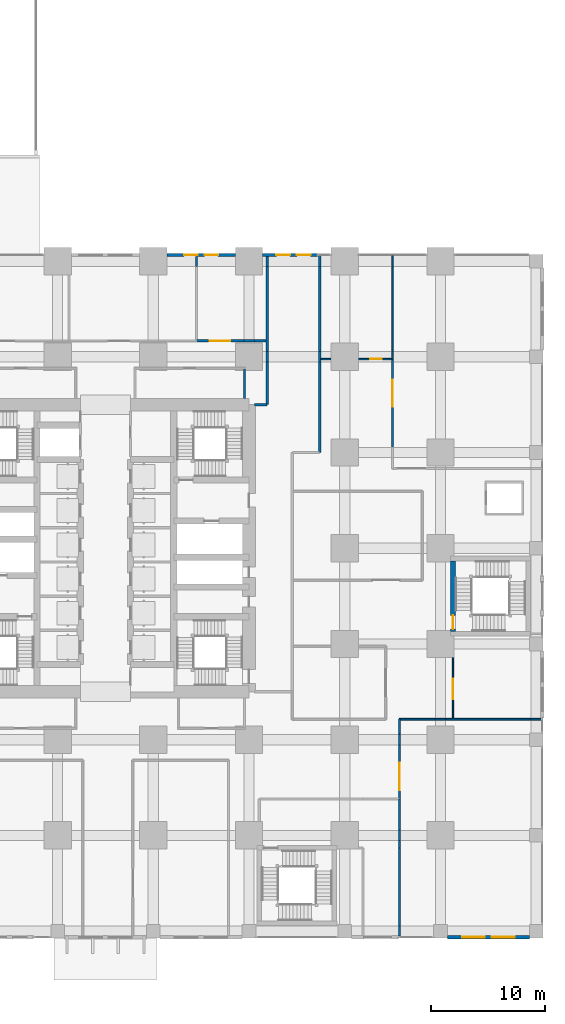
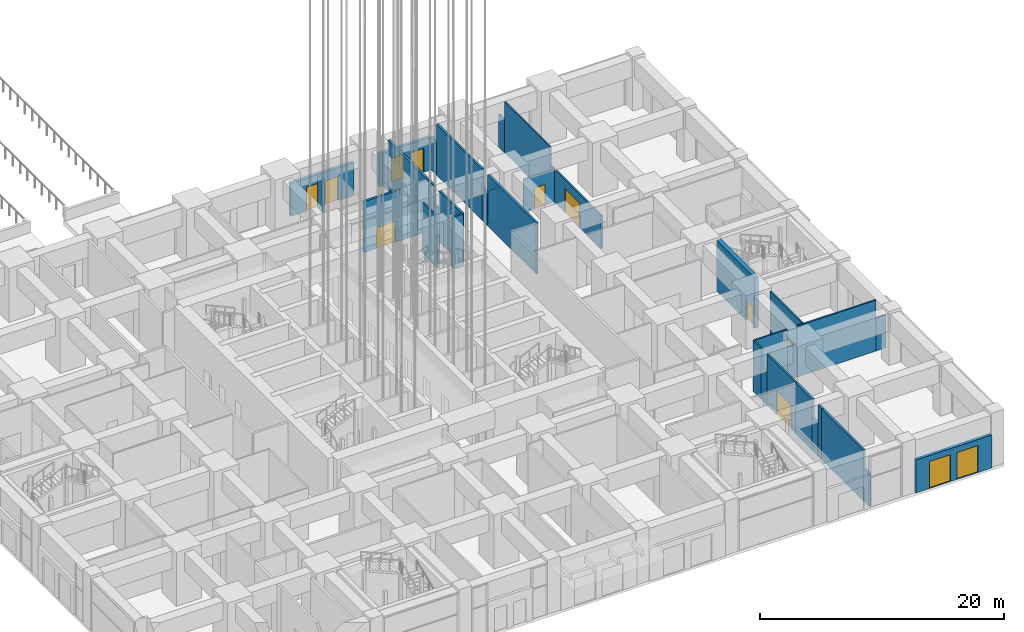
# One storey, part 42 of 81: 37 walls, 12 doors, 12 openings.
"""IFC4 building model written with IfcOpenShell, lengths in metres."""

from ifc_helpers import new_model, si_unit, direction, frame, frame_2d, origin, place, context, subcontext, project, spatial, rectangle, extrude, material, layer, layer_set, type_object, element, fill, save


model = new_model("IFC4")

# Units and contexts
model_context = context("Model", 3, precision=1e-05, world=origin(), true_north=direction((0.0, 1.0)))
body_context = subcontext(model_context, "Body", "Model", "MODEL_VIEW")
ifc_project = project(units=[si_unit("LENGTHUNIT", "METRE"), si_unit("AREAUNIT", "SQUARE_METRE"), si_unit("VOLUMEUNIT", "CUBIC_METRE"), si_unit("PLANEANGLEUNIT", "RADIAN"), si_unit("MASSUNIT", "GRAM", prefix="KILO")], contexts=[model_context])

# Site, building, storey
site_placement = place(None, origin())
site = spatial("IfcSite", under=ifc_project, at=site_placement, CompositionType="ELEMENT")
building_placement = place(site_placement, origin())
building = spatial("IfcBuilding", under=site, at=building_placement, Name="Rekha Terrace Tower", CompositionType="ELEMENT")
storey_placement = place(building_placement, origin())
storey = spatial("IfcBuildingStorey", under=building, at=storey_placement, Name="L00", CompositionType="ELEMENT", Elevation=0.0)

# Wall, openings, doors
ifc_material_1 = material(Name="Concrete M40", Category="concrete")
ifc_layer_1 = layer(ifc_material_1, 0.300048828125)
ifc_layer_set_1 = layer_set([ifc_layer_1], Name="Concrete M40")
wall_type_1 = type_object("IfcWallType", Name="EW2 glazed entrance screen wall 300", PredefinedType="SOLIDWALL", material=ifc_layer_set_1)
wall_1_placement = place(storey_placement, frame((74.9990234375, -0.5400390625, 0.0), z_axis=(0.0, 0.0, 1.0), x_axis=(-1.0, 0.0, 0.0)))
wall_1 = element("IfcWall", 1, at=wall_1_placement, inside=storey, type_object=wall_type_1, Name="Entrance screen wall", PredefinedType="SOLIDWALL", context=body_context, shape_type="SweptSolid", body=[
    extrude(rectangle(XDim=7.197998046875, YDim=0.300048828125, at=frame_2d((3.59912109375, 0.0))), origin(), (0.0, 0.0, 1.0), 3.300048828125),
])
opening_1_placement = place(wall_1_placement, frame((3.89892578125, 0.0, 0.0)))
opening_1 = element("IfcOpeningElement", 2, at=opening_1_placement, cuts=wall_1, Name="Opening ED1", PredefinedType="OPENING", context=body_context, shape_type="SweptSolid", body=[
    extrude(rectangle(XDim=2.0, YDim=2.699951171875, at=frame_2d((1.0, 1.35009765625))), frame((0.0, 0.159912109375, 0.0), z_axis=(0.0, -1.0, 0.0), x_axis=(1.0, 0.0, 0.0)), (0.0, 0.0, 1.0), 0.320068359375),
])
opening_2_placement = place(wall_1_placement, frame((1.299072265625, 0.0, 0.0)))
opening_2 = element("IfcOpeningElement", 3, at=opening_2_placement, cuts=wall_1, Name="Opening ED1", PredefinedType="OPENING", context=body_context, shape_type="SweptSolid", body=[
    extrude(rectangle(XDim=2.0, YDim=2.699951171875, at=frame_2d((1.0, 1.35009765625))), frame((0.0, 0.159912109375, 0.0), z_axis=(0.0, -1.0, 0.0), x_axis=(1.0, 0.0, 0.0)), (0.0, 0.0, 1.0), 0.320068359375),
])
ifc_material_2 = material(Name="Aluminium framed laminated glass door", Category="aluminium")
door_type_1 = type_object("IfcDoorType", Name="ED1 glazed double entrance door 2000 x 2700", OperationType="DOUBLE_DOOR_SINGLE_SWING", PredefinedType="DOOR", material=ifc_material_2)
door_1_placement = place(opening_1_placement, origin())
door_1 = element("IfcDoor", 4, at=door_1_placement, inside=storey, type_object=door_type_1, Name="Entrance door", OperationType="DOUBLE_DOOR_SINGLE_SWING", OverallHeight=2.699951171875, OverallWidth=2.0, PredefinedType="DOOR", context=body_context, shape_type="SweptSolid", body=[
    extrude(rectangle(XDim=2.0, YDim=2.699951171875, at=frame_2d((1.0, 1.35009765625))), frame((0.0, 0.02490234375, 0.0), z_axis=(0.0, -1.0, 0.0), x_axis=(1.0, 0.0, 0.0)), (0.0, 0.0, 1.0), 0.050048828125),
])
fill(opening_1, door_1)
door_2_placement = place(opening_2_placement, origin())
door_2 = element("IfcDoor", 5, at=door_2_placement, inside=storey, type_object=door_type_1, Name="Entrance door", OperationType="DOUBLE_DOOR_SINGLE_SWING", OverallHeight=2.699951171875, OverallWidth=2.0, PredefinedType="DOOR", context=body_context, shape_type="SweptSolid", body=[
    extrude(rectangle(XDim=2.0, YDim=2.699951171875, at=frame_2d((1.0, 1.35009765625))), frame((0.0, 0.02490234375, 0.0), z_axis=(0.0, -1.0, 0.0), x_axis=(1.0, 0.0, 0.0)), (0.0, 0.0, 1.0), 0.050048828125),
])
fill(opening_2, door_2)

wall_2_placement = place(storey_placement, frame((51.60107421875, 59.340087890625, 0.0), z_axis=(0.0, 0.0, 1.0), x_axis=(1.0, 0.0, 0.0)))
wall_2 = element("IfcWall", 6, at=wall_2_placement, inside=storey, type_object=wall_type_1, Name="Entrance screen wall", PredefinedType="SOLIDWALL", context=body_context, shape_type="SweptSolid", body=[
    extrude(rectangle(XDim=4.798828125, YDim=0.300048828125, at=frame_2d((2.3994140625, 0.0))), origin(), (0.0, 0.0, 1.0), 3.300048828125),
])
opening_3_placement = place(wall_2_placement, frame((2.9990234375, 0.0, 0.0)))
opening_3 = element("IfcOpeningElement", 7, at=opening_3_placement, cuts=wall_2, Name="Opening ED3", PredefinedType="OPENING", context=body_context, shape_type="SweptSolid", body=[
    extrude(rectangle(XDim=1.199951171875, YDim=2.39990234375, at=frame_2d((0.60009765625, 1.199951171875))), frame((0.0, 0.159912109375, 0.0), z_axis=(0.0, -1.0, 0.0), x_axis=(1.0, 0.0, 0.0)), (0.0, 0.0, 1.0), 0.320068359375),
])
opening_4_placement = place(wall_2_placement, frame((1.198974609375, 0.0, 0.0)))
opening_4 = element("IfcOpeningElement", 8, at=opening_4_placement, cuts=wall_2, Name="Opening ED3", PredefinedType="OPENING", context=body_context, shape_type="SweptSolid", body=[
    extrude(rectangle(XDim=1.199951171875, YDim=2.39990234375, at=frame_2d((0.60009765625, 1.199951171875))), frame((0.0, 0.159912109375, 0.0), z_axis=(0.0, -1.0, 0.0), x_axis=(1.0, 0.0, 0.0)), (0.0, 0.0, 1.0), 0.320068359375),
])
ifc_material_3 = material(Name="Galvanised steel door", Category="steel")
door_type_2 = type_object("IfcDoorType", Name="ED3 steel exit door 1200 x 2400", OperationType="SINGLE_SWING_LEFT", PredefinedType="DOOR", material=ifc_material_3)
door_3_placement = place(opening_3_placement, origin())
door_3 = element("IfcDoor", 9, at=door_3_placement, inside=storey, type_object=door_type_2, Name="Exit door", OperationType="SINGLE_SWING_LEFT", OverallHeight=2.39990234375, OverallWidth=1.199951171875, PredefinedType="DOOR", context=body_context, shape_type="SweptSolid", body=[
    extrude(rectangle(XDim=1.199951171875, YDim=2.39990234375, at=frame_2d((0.60009765625, 1.199951171875))), frame((0.0, 0.02490234375, 0.0), z_axis=(0.0, -1.0, 0.0), x_axis=(1.0, 0.0, 0.0)), (0.0, 0.0, 1.0), 0.050048828125),
])
fill(opening_3, door_3)
door_4_placement = place(opening_4_placement, origin())
door_4 = element("IfcDoor", 10, at=door_4_placement, inside=storey, type_object=door_type_2, Name="Exit door", OperationType="SINGLE_SWING_LEFT", OverallHeight=2.39990234375, OverallWidth=1.199951171875, PredefinedType="DOOR", context=body_context, shape_type="SweptSolid", body=[
    extrude(rectangle(XDim=1.199951171875, YDim=2.39990234375, at=frame_2d((0.60009765625, 1.199951171875))), frame((0.0, 0.02490234375, 0.0), z_axis=(0.0, -1.0, 0.0), x_axis=(1.0, 0.0, 0.0)), (0.0, 0.0, 1.0), 0.050048828125),
])
fill(opening_4, door_4)

wall_3_placement = place(storey_placement, frame((43.200927734375, 59.340087890625, 0.0), z_axis=(0.0, 0.0, 1.0), x_axis=(1.0, 0.0, 0.0)))
wall_3 = element("IfcWall", 11, at=wall_3_placement, inside=storey, type_object=wall_type_1, Name="Entrance screen wall", PredefinedType="SOLIDWALL", context=body_context, shape_type="SweptSolid", body=[
    extrude(rectangle(XDim=5.998046875, YDim=0.300048828125, at=frame_2d((2.9990234375, 0.0))), origin(), (0.0, 0.0, 1.0), 3.300048828125),
])
opening_5_placement = place(wall_3_placement, frame((3.299072265625, 0.0, 0.0)))
opening_5 = element("IfcOpeningElement", 12, at=opening_5_placement, cuts=wall_3, Name="Opening ED3", PredefinedType="OPENING", context=body_context, shape_type="SweptSolid", body=[
    extrude(rectangle(XDim=1.199951171875, YDim=2.39990234375, at=frame_2d((0.60009765625, 1.199951171875))), frame((0.0, 0.159912109375, 0.0), z_axis=(0.0, -1.0, 0.0), x_axis=(1.0, 0.0, 0.0)), (0.0, 0.0, 1.0), 0.320068359375),
])
opening_6_placement = place(wall_3_placement, frame((1.4990234375, 0.0, 0.0)))
opening_6 = element("IfcOpeningElement", 13, at=opening_6_placement, cuts=wall_3, Name="Opening ED3", PredefinedType="OPENING", context=body_context, shape_type="SweptSolid", body=[
    extrude(rectangle(XDim=1.199951171875, YDim=2.39990234375, at=frame_2d((0.60009765625, 1.199951171875))), frame((0.0, 0.159912109375, 0.0), z_axis=(0.0, -1.0, 0.0), x_axis=(1.0, 0.0, 0.0)), (0.0, 0.0, 1.0), 0.320068359375),
])
door_5_placement = place(opening_5_placement, origin())
door_5 = element("IfcDoor", 14, at=door_5_placement, inside=storey, type_object=door_type_2, Name="Exit door", OperationType="SINGLE_SWING_LEFT", OverallHeight=2.39990234375, OverallWidth=1.199951171875, PredefinedType="DOOR", context=body_context, shape_type="SweptSolid", body=[
    extrude(rectangle(XDim=1.199951171875, YDim=2.39990234375, at=frame_2d((0.60009765625, 1.199951171875))), frame((0.0, 0.02490234375, 0.0), z_axis=(0.0, -1.0, 0.0), x_axis=(1.0, 0.0, 0.0)), (0.0, 0.0, 1.0), 0.050048828125),
])
fill(opening_5, door_5)
door_6_placement = place(opening_6_placement, origin())
door_6 = element("IfcDoor", 15, at=door_6_placement, inside=storey, type_object=door_type_2, Name="Exit door", OperationType="SINGLE_SWING_LEFT", OverallHeight=2.39990234375, OverallWidth=1.199951171875, PredefinedType="DOOR", context=body_context, shape_type="SweptSolid", body=[
    extrude(rectangle(XDim=1.199951171875, YDim=2.39990234375, at=frame_2d((0.60009765625, 1.199951171875))), frame((0.0, 0.02490234375, 0.0), z_axis=(0.0, -1.0, 0.0), x_axis=(1.0, 0.0, 0.0)), (0.0, 0.0, 1.0), 0.050048828125),
])
fill(opening_6, door_6)

# Walls
ifc_material_4 = material(Name="Solid concrete block masonry, 2 hour", Category="masonry")
ifc_layer_2 = layer(ifc_material_4, 0.199951171875)
ifc_layer_set_2 = layer_set([ifc_layer_2], Name="Solid concrete block masonry, 2 hour")
wall_type_2 = type_object("IfcWallType", Name="WP1 200 plant room wall", PredefinedType="PARTITIONING", material=ifc_layer_set_2)
wall_4_placement = place(storey_placement, frame((51.89990234375, 51.800048828125, 0.0), z_axis=(0.0, 0.0, 1.0), x_axis=(-1.0, 0.0, 0.0)))
element("IfcWall", 16, at=wall_4_placement, inside=storey, type_object=wall_type_2, Name="Partition L00-15", PredefinedType="PARTITIONING", context=body_context, shape_type="SweptSolid", body=[
    extrude(rectangle(XDim=1.039794921875, YDim=0.199951171875, at=frame_2d((0.52001953125, 0.0))), origin(), (0.0, 0.0, 1.0), 5.10009765625),
])
wall_5_placement = place(storey_placement, frame((50.860107421875, 51.800048828125, 0.0), z_axis=(0.0, 0.0, 1.0), x_axis=(-1.0, 0.0, 0.0)))
element("IfcWall", 17, at=wall_5_placement, inside=storey, type_object=wall_type_2, Name="Partition L00-15", PredefinedType="PARTITIONING", context=body_context, shape_type="SweptSolid", body=[
    extrude(rectangle(XDim=0.920166015625, YDim=0.199951171875, at=frame_2d((0.4599609375, 0.0))), origin(), (0.0, 0.0, 1.0), 3.300048828125),
])

# Wall, opening, door
wall_6_placement = place(storey_placement, frame((49.93994140625, 51.800048828125, 0.0), z_axis=(0.0, 0.0, 1.0), x_axis=(-1.0, 0.0, 0.0)))
wall_6 = element("IfcWall", 18, at=wall_6_placement, inside=storey, type_object=wall_type_2, Name="Partition L00-15", PredefinedType="PARTITIONING", context=body_context, shape_type="SweptSolid", body=[
    extrude(rectangle(XDim=4.139892578125, YDim=0.199951171875, at=frame_2d((2.06982421875, 0.0))), origin(), (0.0, 0.0, 1.0), 5.10009765625),
])
opening_7_placement = place(wall_6_placement, frame((1.169921875, 0.0, 0.0)))
opening_7 = element("IfcOpeningElement", 19, at=opening_7_placement, cuts=wall_6, Name="Opening D8", PredefinedType="OPENING", context=body_context, shape_type="SweptSolid", body=[
    extrude(rectangle(XDim=1.800048828125, YDim=2.10009765625, at=frame_2d((0.89990234375, 1.050048828125))), frame((0.0, 0.10986328125, 0.0), z_axis=(0.0, -1.0, 0.0), x_axis=(1.0, 0.0, 0.0)), (0.0, 0.0, 1.0), 0.219970703125),
])
ifc_material_5 = material(Name="Timber fire door", Category="wood")
door_type_3 = type_object("IfcDoorType", Name="D8 1800x2100 double leaf door", OperationType="DOUBLE_DOOR_SINGLE_SWING", PredefinedType="DOOR", material=ifc_material_5)
door_7_placement = place(opening_7_placement, origin())
door_7 = element("IfcDoor", 20, at=door_7_placement, inside=storey, type_object=door_type_3, Name="Door metro first aid room L00", OperationType="DOUBLE_DOOR_SINGLE_SWING", OverallHeight=2.10009765625, OverallWidth=1.800048828125, PredefinedType="DOOR", context=body_context, shape_type="SweptSolid", body=[
    extrude(rectangle(XDim=1.800048828125, YDim=2.10009765625, at=frame_2d((0.89990234375, 1.050048828125))), frame((0.0, 0.02490234375, 0.0), z_axis=(0.0, -1.0, 0.0), x_axis=(1.0, 0.0, 0.0)), (0.0, 0.0, 1.0), 0.050048828125),
])
fill(opening_7, door_7)

# Walls
ifc_material_6 = material(Name="Concrete block masonry, 1 hour", Category="masonry")
ifc_layer_3 = layer(ifc_material_6, 0.14990234375)
ifc_layer_set_3 = layer_set([ifc_layer_3], Name="Concrete block masonry, 1 hour")
wall_type_3 = type_object("IfcWallType", Name="WP2 150 tenancy partition", PredefinedType="PARTITIONING", material=ifc_layer_set_3)
wall_7_placement = place(storey_placement, frame((50.0, 46.75, 0.0), z_axis=(0.0, 0.0, 1.0), x_axis=(0.0, 1.0, 0.0)))
element("IfcWall", 21, at=wall_7_placement, inside=storey, type_object=wall_type_3, Name="Women's WC wall L00", PredefinedType="PARTITIONING", context=body_context, shape_type="SweptSolid", body=[
    extrude(rectangle(XDim=2.574951171875, YDim=0.14990234375, at=frame_2d((1.28759765625, 0.0))), origin(), (0.0, 0.0, 1.0), 5.10009765625),
])
wall_8_placement = place(storey_placement, frame((45.800048828125, 59.18994140625, 0.0), z_axis=(0.0, 0.0, 1.0), x_axis=(0.0, -1.0, 0.0)))
element("IfcWall", 22, at=wall_8_placement, inside=storey, type_object=wall_type_3, Name="Partition L00-02", PredefinedType="PARTITIONING", context=body_context, shape_type="SweptSolid", body=[
    extrude(rectangle(XDim=0.849853515625, YDim=0.14990234375, at=frame_2d((0.4248046875, 0.0))), origin(), (0.0, 0.0, 1.0), 3.300048828125),
])

# Wall, opening, door
wall_9_placement = place(storey_placement, frame((63.0, 42.4599609375, 0.0), z_axis=(0.0, 0.0, 1.0), x_axis=(0.0, 1.0, 0.0)))
wall_9 = element("IfcWall", 23, at=wall_9_placement, inside=storey, type_object=wall_type_3, Name="Partition L00-05", PredefinedType="PARTITIONING", context=body_context, shape_type="SweptSolid", body=[
    extrude(rectangle(XDim=7.739990234375, YDim=0.14990234375, at=frame_2d((3.8701171875, 0.0))), origin(), (0.0, 0.0, 1.0), 3.300048828125),
])
opening_8_placement = place(wall_9_placement, frame((3.5400390625, 0.0, 0.0)))
opening_8 = element("IfcOpeningElement", 24, at=opening_8_placement, cuts=wall_9, Name="Opening D7", PredefinedType="OPENING", context=body_context, shape_type="SweptSolid", body=[
    extrude(rectangle(XDim=2.39990234375, YDim=2.39990234375, at=frame_2d((1.199951171875, 1.199951171875))), frame((0.0, 0.0849609375, 0.0), z_axis=(0.0, -1.0, 0.0), x_axis=(1.0, 0.0, 0.0)), (0.0, 0.0, 1.0), 0.169921875),
])
ifc_material_7 = material(Name="Glazed aluminium door", Category="aluminium")
door_type_4 = type_object("IfcDoorType", Name="D7 2400x2400 shopfront double door", OperationType="DOUBLE_DOOR_SINGLE_SWING", PredefinedType="DOOR", material=ifc_material_7)
door_8_placement = place(opening_8_placement, origin())
door_8 = element("IfcDoor", 25, at=door_8_placement, inside=storey, type_object=door_type_4, Name="Door retail unit 2 L00", OperationType="DOUBLE_DOOR_SINGLE_SWING", OverallHeight=2.39990234375, OverallWidth=2.39990234375, PredefinedType="DOOR", context=body_context, shape_type="SweptSolid", body=[
    extrude(rectangle(XDim=2.39990234375, YDim=2.39990234375, at=frame_2d((1.199951171875, 1.199951171875))), frame((0.0, 0.02490234375, 0.0), z_axis=(0.0, -1.0, 0.0), x_axis=(1.0, 0.0, 0.0)), (0.0, 0.0, 1.0), 0.050048828125),
])
fill(opening_8, door_8)

wall_10_placement = place(storey_placement, frame((63.60009765625, 11.60009765625, 0.0), z_axis=(0.0, 0.0, 1.0), x_axis=(0.0, 1.0, 0.0)))
wall_10 = element("IfcWall", 26, at=wall_10_placement, inside=storey, type_object=wall_type_3, Name="Partition L00-07", PredefinedType="PARTITIONING", context=body_context, shape_type="SweptSolid", body=[
    extrude(rectangle(XDim=4.739990234375, YDim=0.14990234375, at=frame_2d((2.3701171875, 0.0))), origin(), (0.0, 0.0, 1.0), 5.10009765625),
])
opening_9_placement = place(wall_10_placement, frame((0.77001953125, 0.0, 0.0)))
opening_9 = element("IfcOpeningElement", 27, at=opening_9_placement, cuts=wall_10, Name="Opening D7", PredefinedType="OPENING", context=body_context, shape_type="SweptSolid", body=[
    extrude(rectangle(XDim=2.39990234375, YDim=2.39990234375, at=frame_2d((1.199951171875, 1.199951171875))), frame((0.0, 0.0849609375, 0.0), z_axis=(0.0, -1.0, 0.0), x_axis=(1.0, 0.0, 0.0)), (0.0, 0.0, 1.0), 0.169921875),
])
door_9_placement = place(opening_9_placement, origin())
door_9 = element("IfcDoor", 28, at=door_9_placement, inside=storey, type_object=door_type_4, Name="Door retail unit 4 L00", OperationType="DOUBLE_DOOR_SINGLE_SWING", OverallHeight=2.39990234375, OverallWidth=2.39990234375, PredefinedType="DOOR", context=body_context, shape_type="SweptSolid", body=[
    extrude(rectangle(XDim=2.39990234375, YDim=2.39990234375, at=frame_2d((1.199951171875, 1.199951171875))), frame((0.0, 0.02490234375, 0.0), z_axis=(0.0, -1.0, 0.0), x_axis=(1.0, 0.0, 0.0)), (0.0, 0.0, 1.0), 0.050048828125),
])
fill(opening_9, door_9)

# Walls
wall_11_placement = place(storey_placement, frame((63.60009765625, 16.340087890625, 0.0), z_axis=(0.0, 0.0, 1.0), x_axis=(0.0, 1.0, 0.0)))
element("IfcWall", 29, at=wall_11_placement, inside=storey, type_object=wall_type_3, Name="Partition L00-07", PredefinedType="PARTITIONING", context=body_context, shape_type="SweptSolid", body=[
    extrude(rectangle(XDim=0.919921875, YDim=0.14990234375, at=frame_2d((0.4599609375, 0.0))), origin(), (0.0, 0.0, 1.0), 3.300048828125),
])
wall_12_placement = place(storey_placement, frame((63.60009765625, 17.260009765625, 0.0), z_axis=(0.0, 0.0, 1.0), x_axis=(0.0, 1.0, 0.0)))
element("IfcWall", 30, at=wall_12_placement, inside=storey, type_object=wall_type_3, Name="Partition L00-07", PredefinedType="PARTITIONING", context=body_context, shape_type="SweptSolid", body=[
    extrude(rectangle(XDim=1.340087890625, YDim=0.14990234375, at=frame_2d((0.669921875, 0.0))), origin(), (0.0, 0.0, 1.0), 5.10009765625),
])
wall_13_placement = place(storey_placement, frame((63.60009765625, 18.60009765625, 0.0), z_axis=(0.0, 0.0, 1.0), x_axis=(1.0, 0.0, 0.0)))
element("IfcWall", 31, at=wall_13_placement, inside=storey, type_object=wall_type_3, Name="Partition L00-07", PredefinedType="PARTITIONING", context=body_context, shape_type="SweptSolid", body=[
    extrude(rectangle(XDim=3.139892578125, YDim=0.14990234375, at=frame_2d((1.56982421875, 0.0))), origin(), (0.0, 0.0, 1.0), 5.10009765625),
])
wall_14_placement = place(storey_placement, frame((66.739990234375, 18.60009765625, 0.0), z_axis=(0.0, 0.0, 1.0), x_axis=(1.0, 0.0, 0.0)))
element("IfcWall", 32, at=wall_14_placement, inside=storey, type_object=wall_type_3, Name="Partition L00-07", PredefinedType="PARTITIONING", context=body_context, shape_type="SweptSolid", body=[
    extrude(rectangle(XDim=0.919921875, YDim=0.14990234375, at=frame_2d((0.4599609375, 0.0))), origin(), (0.0, 0.0, 1.0), 3.300048828125),
])
wall_15_placement = place(storey_placement, frame((67.659912109375, 18.60009765625, 0.0), z_axis=(0.0, 0.0, 1.0), x_axis=(1.0, 0.0, 0.0)))
element("IfcWall", 33, at=wall_15_placement, inside=storey, type_object=wall_type_3, Name="Partition L00-07", PredefinedType="PARTITIONING", context=body_context, shape_type="SweptSolid", body=[
    extrude(rectangle(XDim=7.47998046875, YDim=0.14990234375, at=frame_2d((3.739990234375, 0.0))), origin(), (0.0, 0.0, 1.0), 5.10009765625),
])
wall_16_placement = place(storey_placement, frame((75.139892578125, 18.60009765625, 0.0), z_axis=(0.0, 0.0, 1.0), x_axis=(1.0, 0.0, 0.0)))
element("IfcWall", 34, at=wall_16_placement, inside=storey, type_object=wall_type_3, Name="Partition L00-07", PredefinedType="PARTITIONING", context=body_context, shape_type="SweptSolid", body=[
    extrude(rectangle(XDim=0.91015625, YDim=0.14990234375, at=frame_2d((0.455078125, 0.0))), origin(), (0.0, 0.0, 1.0), 3.300048828125),
])
ifc_material_8 = material(Name="Two layers of fire-rated gypsum board each side on steel studs, acoustic quilt, 1 hour", Category="steel")
ifc_layer_4 = layer(ifc_material_8, 0.125)
ifc_layer_set_4 = layer_set([ifc_layer_4], Name="Two layers of fire-rated gypsum board each side on steel studs, acoustic quilt, 1 hour")
wall_type_4 = type_object("IfcWallType", Name="WP3 125 office partition", PredefinedType="PARTITIONING", material=ifc_layer_set_4)
wall_17_placement = place(storey_placement, frame((63.0, 59.2900390625, 0.0), z_axis=(0.0, 0.0, 1.0), x_axis=(0.0, -1.0, 0.0)))
element("IfcWall", 35, at=wall_17_placement, inside=storey, type_object=wall_type_4, Name="Partition L00-03", PredefinedType="PARTITIONING", context=body_context, shape_type="SweptSolid", body=[
    extrude(rectangle(XDim=0.949951171875, YDim=0.125, at=frame_2d((0.47509765625, 0.0))), origin(), (0.0, 0.0, 1.0), 3.300048828125),
])
wall_18_placement = place(storey_placement, frame((63.0, 58.340087890625, 0.0), z_axis=(0.0, 0.0, 1.0), x_axis=(0.0, -1.0, 0.0)))
element("IfcWall", 36, at=wall_18_placement, inside=storey, type_object=wall_type_4, Name="Partition L00-03", PredefinedType="PARTITIONING", context=body_context, shape_type="SweptSolid", body=[
    extrude(rectangle(XDim=7.47998046875, YDim=0.125, at=frame_2d((3.739990234375, 0.0))), origin(), (0.0, 0.0, 1.0), 5.10009765625),
])
wall_19_placement = place(storey_placement, frame((63.0, 50.860107421875, 0.0), z_axis=(0.0, 0.0, 1.0), x_axis=(0.0, -1.0, 0.0)))
element("IfcWall", 37, at=wall_19_placement, inside=storey, type_object=wall_type_4, Name="Partition L00-03", PredefinedType="PARTITIONING", context=body_context, shape_type="SweptSolid", body=[
    extrude(rectangle(XDim=0.66015625, YDim=0.125, at=frame_2d((0.330078125, 0.0))), origin(), (0.0, 0.0, 1.0), 3.300048828125),
])

# Wall, opening, door
wall_20_placement = place(storey_placement, frame((63.0, 50.199951171875, 0.0), z_axis=(0.0, 0.0, 1.0), x_axis=(-1.0, 0.0, 0.0)))
wall_20 = element("IfcWall", 38, at=wall_20_placement, inside=storey, type_object=wall_type_4, Name="Partition L00-03", PredefinedType="PARTITIONING", context=body_context, shape_type="SweptSolid", body=[
    extrude(rectangle(XDim=2.97998046875, YDim=0.125, at=frame_2d((1.489990234375, 0.0))), origin(), (0.0, 0.0, 1.0), 3.300048828125),
])
opening_10_placement = place(wall_20_placement, frame((0.955078125, 0.0, 0.0)))
opening_10 = element("IfcOpeningElement", 39, at=opening_10_placement, cuts=wall_20, Name="Opening D9", PredefinedType="OPENING", context=body_context, shape_type="SweptSolid", body=[
    extrude(rectangle(XDim=1.0, YDim=2.10009765625, at=frame_2d((0.5, 1.050048828125))), frame((0.0, 0.072509765625, 0.0), z_axis=(0.0, -1.0, 0.0), x_axis=(1.0, 0.0, 0.0)), (0.0, 0.0, 1.0), 0.14501953125),
])
door_type_5 = type_object("IfcDoorType", Name="D9 1000x2100 office door", OperationType="SINGLE_SWING_LEFT", PredefinedType="DOOR", material=ifc_material_5)
door_10_placement = place(opening_10_placement, origin())
door_10 = element("IfcDoor", 40, at=door_10_placement, inside=storey, type_object=door_type_5, Name="Door fire command centre L00", OperationType="SINGLE_SWING_LEFT", OverallHeight=2.10009765625, OverallWidth=1.0, PredefinedType="DOOR", context=body_context, shape_type="SweptSolid", body=[
    extrude(rectangle(XDim=1.0, YDim=2.10009765625, at=frame_2d((0.5, 1.050048828125))), frame((0.0, 0.02490234375, 0.0), z_axis=(0.0, -1.0, 0.0), x_axis=(1.0, 0.0, 0.0)), (0.0, 0.0, 1.0), 0.050048828125),
])
fill(opening_10, door_10)

# Wall
wall_21_placement = place(storey_placement, frame((57.580078125, 50.199951171875, 0.0), z_axis=(0.0, 0.0, 1.0), x_axis=(-1.0, 0.0, 0.0)))
element("IfcWall", 41, at=wall_21_placement, inside=storey, type_object=wall_type_4, Name="Partition L00-03", PredefinedType="PARTITIONING", context=body_context, shape_type="SweptSolid", body=[
    extrude(rectangle(XDim=0.880126953125, YDim=0.125, at=frame_2d((0.43994140625, 0.0))), origin(), (0.0, 0.0, 1.0), 3.300048828125),
])

# Wall, opening, door
wall_22_placement = place(storey_placement, frame((68.300048828125, 18.675048828125, 0.0), z_axis=(0.0, 0.0, 1.0), x_axis=(0.0, 1.0, 0.0)))
wall_22 = element("IfcWall", 42, at=wall_22_placement, inside=storey, type_object=wall_type_4, Name="Partition L00-16", PredefinedType="PARTITIONING", context=body_context, shape_type="SweptSolid", body=[
    extrude(rectangle(XDim=5.304931640625, YDim=0.125, at=frame_2d((2.65234375, 0.0))), origin(), (0.0, 0.0, 1.0), 5.10009765625),
])
opening_11_placement = place(wall_22_placement, frame((1.679931640625, 0.0, 0.0)))
opening_11 = element("IfcOpeningElement", 43, at=opening_11_placement, cuts=wall_22, Name="Opening D8", PredefinedType="OPENING", context=body_context, shape_type="SweptSolid", body=[
    extrude(rectangle(XDim=1.800048828125, YDim=2.10009765625, at=frame_2d((0.89990234375, 1.050048828125))), frame((0.0, 0.072509765625, 0.0), z_axis=(0.0, -1.0, 0.0), x_axis=(1.0, 0.0, 0.0)), (0.0, 0.0, 1.0), 0.14501953125),
])
door_11_placement = place(opening_11_placement, origin())
door_11 = element("IfcDoor", 44, at=door_11_placement, inside=storey, type_object=door_type_3, Name="Door metro waiting lounge L00", OperationType="DOUBLE_DOOR_SINGLE_SWING", OverallHeight=2.10009765625, OverallWidth=1.800048828125, PredefinedType="DOOR", context=body_context, shape_type="SweptSolid", body=[
    extrude(rectangle(XDim=1.800048828125, YDim=2.10009765625, at=frame_2d((0.89990234375, 1.050048828125))), frame((0.0, 0.02490234375, 0.0), z_axis=(0.0, -1.0, 0.0), x_axis=(1.0, 0.0, 0.0)), (0.0, 0.0, 1.0), 0.050048828125),
])
fill(opening_11, door_11)

# Walls
ifc_layer_5 = layer(ifc_material_4, 0.199951171875)
ifc_layer_set_5 = layer_set([ifc_layer_5], Name="Solid concrete block masonry, 2 hour")
wall_type_5 = type_object("IfcWallType", Name="WS1 200 stair and shaft enclosure", PredefinedType="PARTITIONING", material=ifc_layer_set_5)
wall_23_placement = place(storey_placement, frame((52.0, 46.199951171875, 0.0), z_axis=(0.0, 0.0, 1.0), x_axis=(0.0, 1.0, 0.0)))
element("IfcWall", 45, at=wall_23_placement, inside=storey, type_object=wall_type_5, Name="Partition L00-EP2", PredefinedType="PARTITIONING", context=body_context, shape_type="SweptSolid", body=[
    extrude(rectangle(XDim=3.739990234375, YDim=0.199951171875, at=frame_2d((1.8701171875, 0.0))), origin(), (0.0, 0.0, 1.0), 5.10009765625),
])
wall_24_placement = place(storey_placement, frame((52.0, 49.93994140625, 0.0), z_axis=(0.0, 0.0, 1.0), x_axis=(0.0, 1.0, 0.0)))
element("IfcWall", 46, at=wall_24_placement, inside=storey, type_object=wall_type_5, Name="Partition L00-EP2", PredefinedType="PARTITIONING", context=body_context, shape_type="SweptSolid", body=[
    extrude(rectangle(XDim=0.920166015625, YDim=0.199951171875, at=frame_2d((0.4599609375, 0.0))), origin(), (0.0, 0.0, 1.0), 3.300048828125),
])
wall_25_placement = place(storey_placement, frame((52.0, 50.860107421875, 0.0), z_axis=(0.0, 0.0, 1.0), x_axis=(0.0, 1.0, 0.0)))
element("IfcWall", 47, at=wall_25_placement, inside=storey, type_object=wall_type_5, Name="Partition L00-EP2", PredefinedType="PARTITIONING", context=body_context, shape_type="SweptSolid", body=[
    extrude(rectangle(XDim=7.47998046875, YDim=0.199951171875, at=frame_2d((3.739990234375, 0.0))), origin(), (0.0, 0.0, 1.0), 5.10009765625),
])
wall_26_placement = place(storey_placement, frame((52.0, 58.340087890625, 0.0), z_axis=(0.0, 0.0, 1.0), x_axis=(0.0, 1.0, 0.0)))
element("IfcWall", 48, at=wall_26_placement, inside=storey, type_object=wall_type_5, Name="Partition L00-EP2", PredefinedType="PARTITIONING", context=body_context, shape_type="SweptSolid", body=[
    extrude(rectangle(XDim=0.849853515625, YDim=0.199951171875, at=frame_2d((0.4248046875, 0.0))), origin(), (0.0, 0.0, 1.0), 3.300048828125),
])
wall_27_placement = place(storey_placement, frame((56.60009765625, 59.2900390625, 0.0), z_axis=(0.0, 0.0, 1.0), x_axis=(0.0, -1.0, 0.0)))
element("IfcWall", 49, at=wall_27_placement, inside=storey, type_object=wall_type_5, Name="Partition L00-EP2", PredefinedType="PARTITIONING", context=body_context, shape_type="SweptSolid", body=[
    extrude(rectangle(XDim=0.949951171875, YDim=0.199951171875, at=frame_2d((0.47509765625, 0.0))), origin(), (0.0, 0.0, 1.0), 3.300048828125),
])
wall_28_placement = place(storey_placement, frame((56.60009765625, 58.340087890625, 0.0), z_axis=(0.0, 0.0, 1.0), x_axis=(0.0, -1.0, 0.0)))
element("IfcWall", 50, at=wall_28_placement, inside=storey, type_object=wall_type_5, Name="Partition L00-EP2", PredefinedType="PARTITIONING", context=body_context, shape_type="SweptSolid", body=[
    extrude(rectangle(XDim=7.47998046875, YDim=0.199951171875, at=frame_2d((3.739990234375, 0.0))), origin(), (0.0, 0.0, 1.0), 5.10009765625),
])
wall_29_placement = place(storey_placement, frame((56.60009765625, 50.860107421875, 0.0), z_axis=(0.0, 0.0, 1.0), x_axis=(0.0, -1.0, 0.0)))
element("IfcWall", 51, at=wall_29_placement, inside=storey, type_object=wall_type_5, Name="Partition L00-EP2", PredefinedType="PARTITIONING", context=body_context, shape_type="SweptSolid", body=[
    extrude(rectangle(XDim=0.920166015625, YDim=0.199951171875, at=frame_2d((0.4599609375, 0.0))), origin(), (0.0, 0.0, 1.0), 3.300048828125),
])
wall_30_placement = place(storey_placement, frame((56.60009765625, 49.93994140625, 0.0), z_axis=(0.0, 0.0, 1.0), x_axis=(0.0, -1.0, 0.0)))
element("IfcWall", 52, at=wall_30_placement, inside=storey, type_object=wall_type_5, Name="Partition L00-EP2", PredefinedType="PARTITIONING", context=body_context, shape_type="SweptSolid", body=[
    extrude(rectangle(XDim=7.93994140625, YDim=0.199951171875, at=frame_2d((3.969970703125, 0.0))), origin(), (0.0, 0.0, 1.0), 5.10009765625),
])
wall_31_placement = place(storey_placement, frame((50.89990234375, 46.199951171875, 0.0), z_axis=(0.0, 0.0, 1.0), x_axis=(1.0, 0.0, 0.0)))
element("IfcWall", 53, at=wall_31_placement, inside=storey, type_object=wall_type_5, Name="Partition L00-EP2", PredefinedType="PARTITIONING", context=body_context, shape_type="SweptSolid", body=[
    extrude(rectangle(XDim=1.10009765625, YDim=0.199951171875, at=frame_2d((0.550048828125, 0.0))), origin(), (0.0, 0.0, 1.0), 5.10009765625),
])
wall_32_placement = place(storey_placement, frame((63.60009765625, 11.60009765625, 0.0), z_axis=(0.0, 0.0, 1.0), x_axis=(0.0, -1.0, 0.0)))
element("IfcWall", 54, at=wall_32_placement, inside=storey, type_object=wall_type_5, Name="Partition L00-EP4", PredefinedType="PARTITIONING", context=body_context, shape_type="SweptSolid", body=[
    extrude(rectangle(XDim=2.739990234375, YDim=0.199951171875, at=frame_2d((1.3701171875, 0.0))), origin(), (0.0, 0.0, 1.0), 5.10009765625),
])
wall_33_placement = place(storey_placement, frame((63.60009765625, 8.860107421875, 0.0), z_axis=(0.0, 0.0, 1.0), x_axis=(0.0, -1.0, 0.0)))
element("IfcWall", 55, at=wall_33_placement, inside=storey, type_object=wall_type_5, Name="Partition L00-EP4", PredefinedType="PARTITIONING", context=body_context, shape_type="SweptSolid", body=[
    extrude(rectangle(XDim=0.920166015625, YDim=0.199951171875, at=frame_2d((0.4599609375, 0.0))), origin(), (0.0, 0.0, 1.0), 3.300048828125),
])
wall_34_placement = place(storey_placement, frame((63.60009765625, 7.93994140625, 0.0), z_axis=(0.0, 0.0, 1.0), x_axis=(0.0, -1.0, 0.0)))
element("IfcWall", 56, at=wall_34_placement, inside=storey, type_object=wall_type_5, Name="Partition L00-EP4", PredefinedType="PARTITIONING", context=body_context, shape_type="SweptSolid", body=[
    extrude(rectangle(XDim=0.639892578125, YDim=0.199951171875, at=frame_2d((0.31982421875, 0.0))), origin(), (0.0, 0.0, 1.0), 5.10009765625),
])
wall_35_placement = place(storey_placement, frame((63.60009765625, 7.300048828125, 0.0), z_axis=(0.0, 0.0, 1.0), x_axis=(0.0, -1.0, 0.0)))
element("IfcWall", 57, at=wall_35_placement, inside=storey, type_object=wall_type_5, Name="Partition L00-EP4", PredefinedType="PARTITIONING", context=body_context, shape_type="SweptSolid", body=[
    extrude(rectangle(XDim=6.840087890625, YDim=0.199951171875, at=frame_2d((3.419921875, 0.0))), origin(), (0.0, 0.0, 1.0), 5.10009765625),
])
wall_36_placement = place(storey_placement, frame((63.60009765625, 0.4599609375, 0.0), z_axis=(0.0, 0.0, 1.0), x_axis=(0.0, -1.0, 0.0)))
element("IfcWall", 58, at=wall_36_placement, inside=storey, type_object=wall_type_5, Name="Partition L00-EP4", PredefinedType="PARTITIONING", context=body_context, shape_type="SweptSolid", body=[
    extrude(rectangle(XDim=0.909912109375, YDim=0.199951171875, at=frame_2d((0.455078125, 0.0))), origin(), (0.0, 0.0, 1.0), 3.300048828125),
])

# Wall, opening, door
ifc_material_9 = material(Name="Concrete M60", Category="concrete")
ifc_layer_6 = layer(ifc_material_9, 0.39990234375)
ifc_layer_set_6 = layer_set([ifc_layer_6], Name="Concrete M60")
wall_type_6 = type_object("IfcWallType", Name="WS3 400 RC podium stair wall", PredefinedType="SOLIDWALL", material=ifc_layer_set_6)
wall_37_placement = place(storey_placement, frame((68.300048828125, 26.300048828125, 0.0), z_axis=(0.0, 0.0, 1.0), x_axis=(0.0, 1.0, 0.0)))
wall_37 = element("IfcWall", 59, at=wall_37_placement, inside=storey, type_object=wall_type_6, Name="Stair SP2 west wall", PredefinedType="SOLIDWALL", context=body_context, shape_type="SweptSolid", body=[
    extrude(rectangle(XDim=6.199951171875, YDim=0.39990234375, at=frame_2d((3.10009765625, 0.0))), origin(), (0.0, 0.0, 1.0), 5.10009765625),
])
opening_12_placement = place(wall_37_placement, frame((0.199951171875, 0.0, 0.0)))
opening_12 = element("IfcOpeningElement", 60, at=opening_12_placement, cuts=wall_37, Name="Opening D1", PredefinedType="OPENING", context=body_context, shape_type="SweptSolid", body=[
    extrude(rectangle(XDim=1.199951171875, YDim=2.10009765625, at=frame_2d((0.60009765625, 1.050048828125))), frame((0.0, 0.2099609375, 0.0), z_axis=(0.0, -1.0, 0.0), x_axis=(1.0, 0.0, 0.0)), (0.0, 0.0, 1.0), 0.419921875),
])
ifc_material_10 = material(Name="Steel fire door", Category="steel")
door_type_6 = type_object("IfcDoorType", Name="D1 1200x2100 stair fire door", OperationType="SINGLE_SWING_RIGHT", PredefinedType="DOOR", material=ifc_material_10)
door_12_placement = place(opening_12_placement, origin())
door_12 = element("IfcDoor", 61, at=door_12_placement, inside=storey, type_object=door_type_6, Name="Stair SP2 door L00", OperationType="SINGLE_SWING_RIGHT", OverallHeight=2.10009765625, OverallWidth=1.199951171875, PredefinedType="DOOR", context=body_context, shape_type="SweptSolid", body=[
    extrude(rectangle(XDim=1.199951171875, YDim=2.10009765625, at=frame_2d((0.60009765625, 1.050048828125))), frame((0.0, 0.02490234375, 0.0), z_axis=(0.0, -1.0, 0.0), x_axis=(1.0, 0.0, 0.0)), (0.0, 0.0, 1.0), 0.050048828125),
])
fill(opening_12, door_12)

save(model, "model.ifc")
